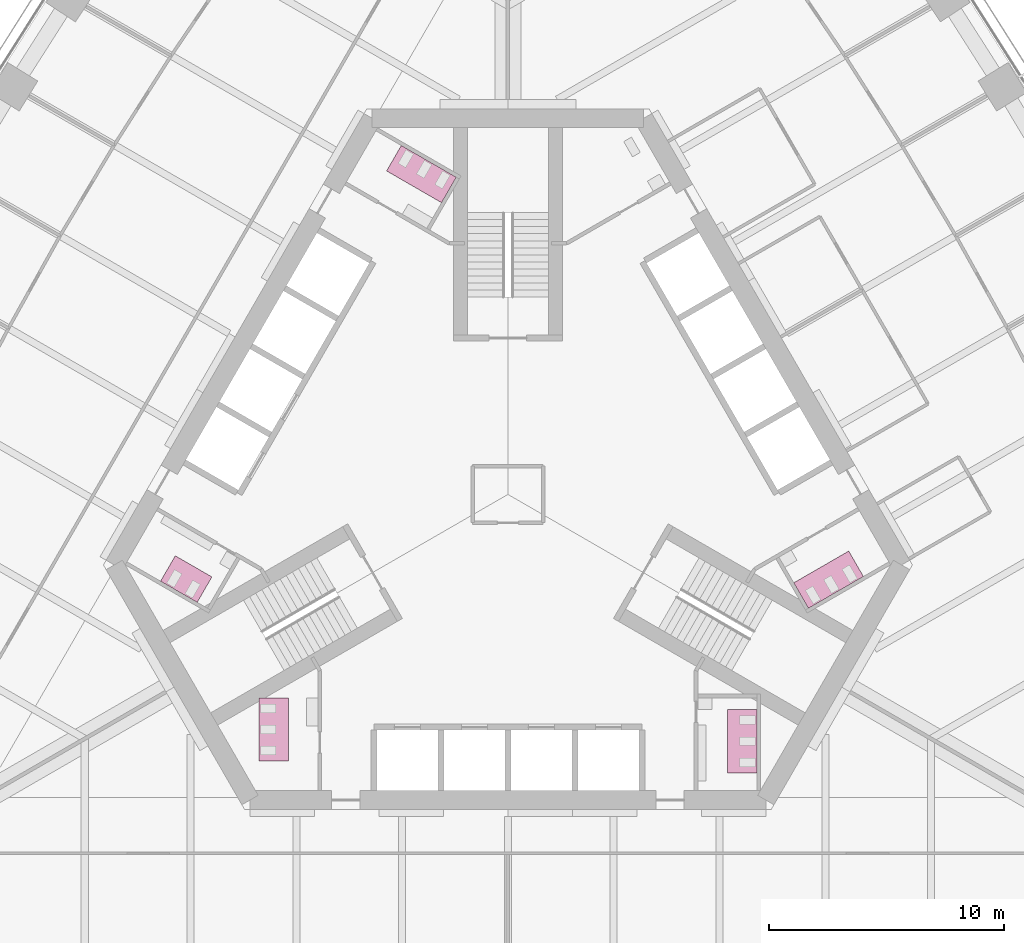
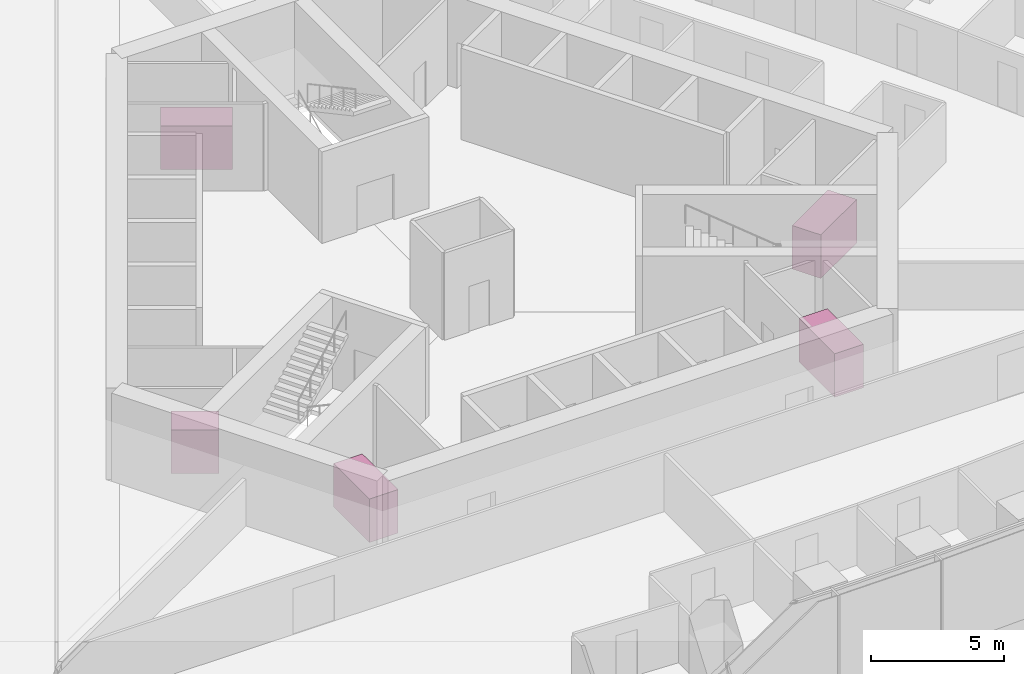
# One storey, part 18 of 18: 5 furniture elements.
"""IFC4 building model written with IfcOpenShell, lengths in metres."""

from ifc_helpers import new_model, si_unit, direction, frame, origin, place, context, subcontext, project, spatial, polyline, outline, extrude, material, type_object, element, save


model = new_model("IFC4")

# Units and contexts
model_context = context("Model", 3, precision=1e-05, world=origin(), true_north=direction((0.0, 1.0)))
body_context = subcontext(model_context, "Body", "Model", "MODEL_VIEW")
ifc_project = project(units=[si_unit("LENGTHUNIT", "METRE"), si_unit("AREAUNIT", "SQUARE_METRE"), si_unit("VOLUMEUNIT", "CUBIC_METRE"), si_unit("PLANEANGLEUNIT", "RADIAN"), si_unit("MASSUNIT", "GRAM", prefix="KILO")], contexts=[model_context])

# Site, building, storey
site_placement = place(None, origin())
site = spatial("IfcSite", under=ifc_project, at=site_placement, CompositionType="ELEMENT")
building_placement = place(site_placement, origin())
building = spatial("IfcBuilding", under=site, at=building_placement, Name="Trefoil Bronze Tower", CompositionType="ELEMENT")
storey_placement = place(building_placement, frame((0.0, 0.0, 58.5)))
storey = spatial("IfcBuildingStorey", under=building, at=storey_placement, Name="L13", CompositionType="ELEMENT", Elevation=58.5)

# Furniture
ifc_material_1 = material(Name="Compact laminate cubicles", Category="plastic")
furniture_type_1 = type_object("IfcFurnitureType", Name="WC cubicle range 2 cubicles", AssemblyPlace="FACTORY", PredefinedType="USERDEFINED", material=ifc_material_1)
furniture_1_placement = place(storey_placement, origin())
element("IfcFurniture", 1, at=furniture_1_placement, inside=storey, type_object=furniture_type_1, Name="WC cubicle range WC (men) L13", ObjectType="WC cubicle range", PredefinedType="USERDEFINED", context=body_context, shape_type="SweptSolid", body=[
    extrude(outline(polyline([(-12.591552734375, -3.50927734375), (-13.216552734375, -4.591796875), (-14.775390625, -3.69189453125), (-14.150390625, -2.609375), (-12.591552734375, -3.50927734375)])), origin(), (0.0, 0.0, 1.0), 2.0),
])
ifc_material_2 = material(Name="Compact laminate cubicles", Category="plastic")
furniture_type_2 = type_object("IfcFurnitureType", Name="WC cubicle range 3 cubicles", AssemblyPlace="FACTORY", PredefinedType="USERDEFINED", material=ifc_material_2)
furniture_2_placement = place(storey_placement, origin())
element("IfcFurniture", 2, at=furniture_2_placement, inside=storey, type_object=furniture_type_2, Name="WC cubicle range WC (men) L13", ObjectType="WC cubicle range", PredefinedType="USERDEFINED", context=body_context, shape_type="SweptSolid", body=[
    extrude(outline(polyline([(9.3349609375, -9.14990234375), (10.5849609375, -9.14990234375), (10.5849609375, -11.85009765625), (9.3349609375, -11.85009765625), (9.3349609375, -9.14990234375)])), origin(), (0.0, 0.0, 1.0), 2.0),
])
furniture_3_placement = place(storey_placement, origin())
element("IfcFurniture", 3, at=furniture_3_placement, inside=storey, type_object=furniture_type_2, Name="WC cubicle range WC (women) L13", ObjectType="WC cubicle range", PredefinedType="USERDEFINED", context=body_context, shape_type="SweptSolid", body=[
    extrude(outline(polyline([(12.15869140625, -3.75927734375), (12.78369140625, -4.841796875), (15.121826171875, -3.491943359375), (14.496826171875, -2.409423828125), (12.15869140625, -3.75927734375)])), origin(), (0.0, 0.0, 1.0), 2.0),
])
furniture_4_placement = place(storey_placement, origin())
element("IfcFurniture", 4, at=furniture_4_placement, inside=storey, type_object=furniture_type_2, Name="WC cubicle range WC (women) L13", ObjectType="WC cubicle range", PredefinedType="USERDEFINED", context=body_context, shape_type="SweptSolid", body=[
    extrude(outline(polyline([(-2.82373046875, 12.409423828125), (-2.19873046875, 13.491943359375), (-4.536865234375, 14.841796875), (-5.161865234375, 13.75927734375), (-2.82373046875, 12.409423828125)])), origin(), (0.0, 0.0, 1.0), 2.0),
])
furniture_5_placement = place(storey_placement, origin())
element("IfcFurniture", 5, at=furniture_5_placement, inside=storey, type_object=furniture_type_2, Name="WC cubicle range WC (women) L13", ObjectType="WC cubicle range", PredefinedType="USERDEFINED", context=body_context, shape_type="SweptSolid", body=[
    extrude(outline(polyline([(-9.3349609375, -8.64990234375), (-10.5849609375, -8.64990234375), (-10.5849609375, -11.35009765625), (-9.3349609375, -11.35009765625), (-9.3349609375, -8.64990234375)])), origin(), (0.0, 0.0, 1.0), 2.0),
])

save(model, "model.ifc")
